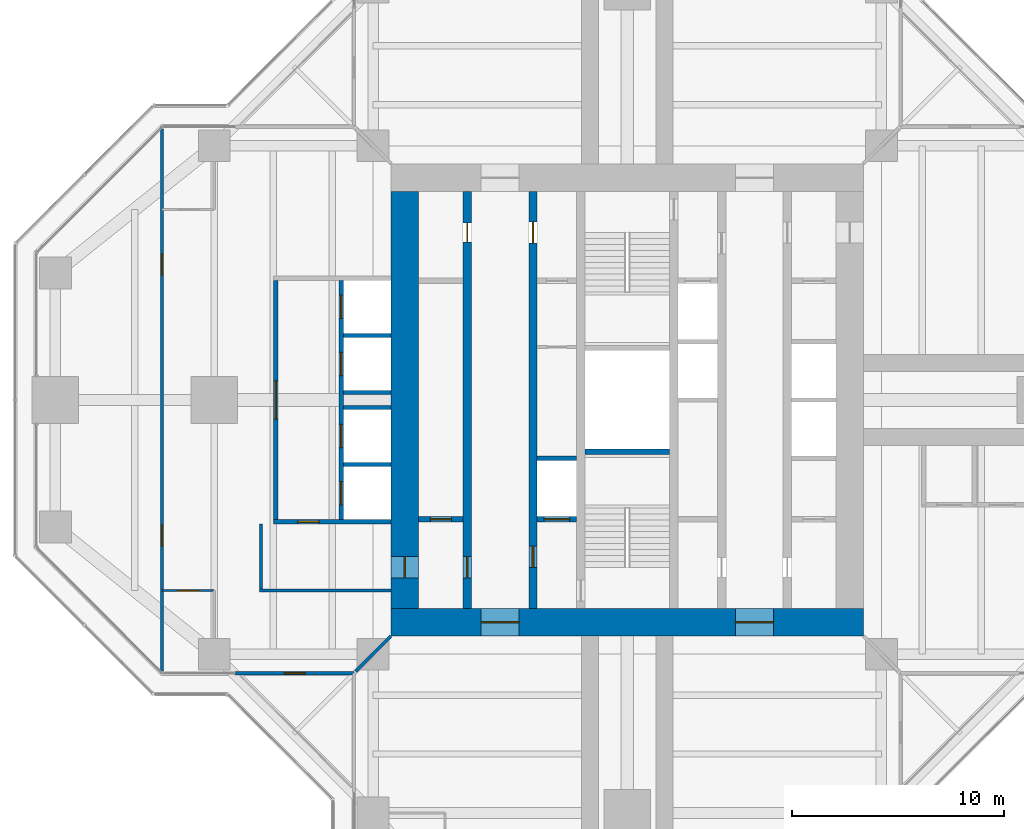
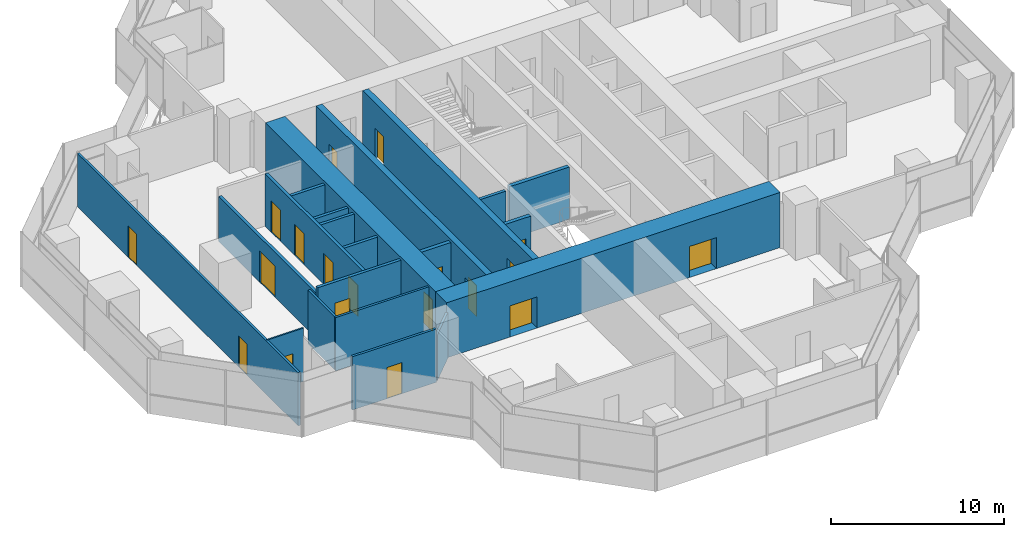
# One storey, part 13 of 17: 21 walls, 19 doors, 19 openings.
"""IFC4 building model written with IfcOpenShell, lengths in metres."""

import ifcopenshell
import ifcopenshell.guid

model = None  # the IFC model being written
_history = None  # IfcOwnerHistory: only IFC2X3 demands one
_inside = {}  # id of a spatial element -> (the spatial element, [elements in it])
_under = {}  # id of a project, library or spatial element -> (it, [spatial elements below it])
_declared = {}  # id of a project -> (the project, [libraries it declares])
_typed = {}  # id of a type object -> (the type object, [elements of that type])
_made_of = {}  # id of a material, layer set ... -> (it, [elements and type objects made of it])


def new_model(schema):
    """Start an empty IFC model of exactly this schema.

    Asked for "IFC4X3", IfcOpenShell would pick the latest addendum, in which some entities
    have other attributes; the version numbers below select the first issue.
    IFC2X3 requires an IfcOwnerHistory on every rooted entity: one is made here for all.
    """
    global model, _history
    if schema == "IFC4X3":
        model = ifcopenshell.file(schema_version=(4, 3, 0, 0))
    else:
        model = ifcopenshell.file(schema=schema)
    _inside.clear()
    _under.clear()
    _declared.clear()
    _typed.clear()
    _made_of.clear()
    _history = None
    if model.schema == "IFC2X3":
        org = make("IfcOrganization", Name="unknown")
        user = make(
            "IfcPersonAndOrganization",
            ThePerson=make("IfcPerson", FamilyName="unknown"),
            TheOrganization=org,
        )
        app = make(
            "IfcApplication",
            ApplicationDeveloper=org,
            Version="unknown",
            ApplicationFullName="unknown",
            ApplicationIdentifier="unknown",
        )
        _history = make(
            "IfcOwnerHistory",
            OwningUser=user,
            OwningApplication=app,
            ChangeAction="ADDED",
            CreationDate=0,
        )
    return model


def make(cls, **values):
    """One entity of the class cls with the attributes given. An attribute that is None is left unset."""
    return model.create_entity(
        cls, **{name: value for name, value in values.items() if value is not None}
    )


def rooted(cls, **values):
    """An entity with a GlobalId (a new one), such as an element, a storey or a relation."""
    return make(cls, GlobalId=ifcopenshell.guid.new(), OwnerHistory=_history, **values)


def si_unit(unit_type, name, prefix=None):
    """IfcSIUnit, for example si_unit("LENGTHUNIT", "METRE", prefix="MILLI")."""
    return make("IfcSIUnit", UnitType=unit_type, Prefix=prefix, Name=name)


def assignment(units):
    """IfcUnitAssignment: the units of a project."""
    return None if units is None else make("IfcUnitAssignment", Units=units)


def point(xyz):
    """IfcCartesianPoint."""
    return None if xyz is None else make("IfcCartesianPoint", Coordinates=xyz)


def direction(xyz):
    """IfcDirection."""
    return None if xyz is None else make("IfcDirection", DirectionRatios=xyz)


def frame(location, z_axis=None, x_axis=None):
    """IfcAxis2Placement3D, a coordinate frame: its origin and axes. An axis left out is left unset."""
    return make(
        "IfcAxis2Placement3D",
        Location=point(location),
        Axis=direction(z_axis),
        RefDirection=direction(x_axis),
    )


def frame_2d(location, x_axis=None):
    """IfcAxis2Placement2D, a coordinate frame in the plane: its origin and x axis."""
    return make(
        "IfcAxis2Placement2D", Location=point(location), RefDirection=direction(x_axis)
    )


def origin():
    """The frame at (0, 0, 0) with its axes left unset."""
    return frame((0.0, 0.0, 0.0))


def place(relative_to, where):
    """IfcLocalPlacement: puts the frame where relative to a parent placement (None: the world)."""
    return make(
        "IfcLocalPlacement", PlacementRelTo=relative_to, RelativePlacement=where
    )


def context(
    kind, dimensions, precision=None, world=None, true_north=None, identifier=None
):
    """IfcGeometricRepresentationContext, for example the 3D "Model" context."""
    return make(
        "IfcGeometricRepresentationContext",
        ContextIdentifier=identifier,
        ContextType=kind,
        CoordinateSpaceDimension=dimensions,
        Precision=precision,
        WorldCoordinateSystem=world,
        TrueNorth=true_north,
    )


def subcontext(parent, identifier, kind, view, scale=None):
    """IfcGeometricRepresentationSubContext, for example "Body" below "Model"."""
    return make(
        "IfcGeometricRepresentationSubContext",
        ContextIdentifier=identifier,
        ContextType=kind,
        ParentContext=parent,
        TargetScale=scale,
        TargetView=view,
    )


def project(units=None, contexts=None):
    """IfcProject with its units and contexts."""
    return rooted(
        "IfcProject",
        Name="project",
        RepresentationContexts=contexts,
        UnitsInContext=assignment(units),
    )


def spatial(cls, under=None, at=None, **own):
    """A site, building, storey or space (cls), placed at a placement, below another one or the project."""
    s = rooted(cls, ObjectPlacement=at, **own)
    if under is not None:
        _under.setdefault(under.id(), (under, []))[1].append(s)
    return s


def profile(cls, at=None, kind="AREA", **sizes):
    """A parametric profile (cls). Its sizes go by their IFC names, for example OverallWidth=200.0."""
    return make(cls, ProfileType=kind, Position=at, **sizes)


def rectangle(**sizes):
    """IfcRectangleProfileDef."""
    return profile("IfcRectangleProfileDef", **sizes)


def extrude(swept, where, along, depth):
    """IfcExtrudedAreaSolid: the profile swept, set in the frame where, extruded along a direction by depth."""
    return make(
        "IfcExtrudedAreaSolid",
        SweptArea=swept,
        Position=where,
        ExtrudedDirection=direction(along),
        Depth=depth,
    )


def shape(context_of_items, identifier, shape_type, items):
    """IfcShapeRepresentation: the items that make up one representation, for example the "Body"."""
    return make(
        "IfcShapeRepresentation",
        ContextOfItems=context_of_items,
        RepresentationIdentifier=identifier,
        RepresentationType=shape_type,
        Items=items,
    )


def material(Name=None, Category=None):
    """IfcMaterial."""
    return make("IfcMaterial", Name=Name, Category=Category)


def layer(
    of_material, thickness, ventilated=None, Name=None, Category=None, Priority=None
):
    """IfcMaterialLayer: one layer of a wall or slab, of a material (None: an air gap)."""
    return make(
        "IfcMaterialLayer",
        Material=of_material,
        LayerThickness=thickness,
        IsVentilated=ventilated,
        Name=Name,
        Category=Category,
        Priority=Priority,
    )


def layer_set(layers, Name=None):
    """IfcMaterialLayerSet."""
    return make("IfcMaterialLayerSet", MaterialLayers=layers, LayerSetName=Name)


def made_of(thing, what):
    """Note that an element or type object is made of a material, layer set ...; save() writes the relation."""
    if what is not None:
        _made_of.setdefault(what.id(), (what, []))[1].append(thing)
    return thing


def type_object(cls, material=None, **own):
    """A type object (cls), such as IfcWallType, which elements share."""
    return made_of(rooted(cls, **own), material)


def element(
    cls,
    number,
    at=None,
    inside=None,
    cuts=None,
    type_object=None,
    material=None,
    context=None,
    identifier="Body",
    shape_type=None,
    held_by="IfcProductDefinitionShape",
    body=None,
    shapes=None,
    **own,
):
    """One element of the class cls, such as IfcWall. Its Tag is "e" and its number.

    at: its placement. inside: the storey or other place that contains it. cuts: it is an
    opening in that element (IfcRelVoidsElement). A single representation is given by context,
    identifier, shape_type and body (its items); several are given by shapes. held_by: the class
    of the entity that holds the representations. save() writes the other relations.
    """
    e = rooted(cls, Tag="e%d" % number, ObjectPlacement=at, **own)
    if body is not None:
        shapes = [shape(context, identifier, shape_type, body)]
    if shapes is not None:
        e.Representation = make(held_by, Representations=shapes)
    if inside is not None:
        _inside.setdefault(inside.id(), (inside, []))[1].append(e)
    if cuts is not None:
        rooted(
            "IfcRelVoidsElement", RelatingBuildingElement=cuts, RelatedOpeningElement=e
        )
    if type_object is not None:
        _typed.setdefault(type_object.id(), (type_object, []))[1].append(e)
    return made_of(e, material)


def fill(opening, filler):
    """IfcRelFillsElement: the door or window that sits in an opening."""
    return rooted(
        "IfcRelFillsElement",
        RelatingOpeningElement=opening,
        RelatedBuildingElement=filler,
    )


def aggregate(whole, parts):
    """IfcRelAggregates: a whole, such as a stair, and the parts it consists of."""
    return rooted("IfcRelAggregates", RelatingObject=whole, RelatedObjects=parts)


def save(model, path):
    """Write the relations noted so far, then the file.

    IfcRelAggregates (storeys below a building ...), IfcRelContainedInSpatialStructure (elements
    in a storey), IfcRelDefinesByType, IfcRelAssociatesMaterial and IfcRelDeclares: one each for
    every whole, place, type object, material and project.
    """
    for whole, parts in _under.values():
        aggregate(whole, parts)
    for where, things in _inside.values():
        rooted(
            "IfcRelContainedInSpatialStructure",
            RelatedElements=things,
            RelatingStructure=where,
        )
    for kind, things in _typed.values():
        rooted("IfcRelDefinesByType", RelatedObjects=things, RelatingType=kind)
    for what, things in _made_of.values():
        rooted("IfcRelAssociatesMaterial", RelatedObjects=things, RelatingMaterial=what)
    for by, libraries in _declared.values():
        rooted("IfcRelDeclares", RelatingContext=by, RelatedDefinitions=libraries)
    model.write(path)


model = new_model("IFC4")

# Units and contexts
model_context = context("Model", 3, precision=1e-05, world=origin(), true_north=direction((0.0, 1.0)))
body_context = subcontext(model_context, "Body", "Model", "MODEL_VIEW")
ifc_project = project(units=[si_unit("LENGTHUNIT", "METRE"), si_unit("AREAUNIT", "SQUARE_METRE"), si_unit("VOLUMEUNIT", "CUBIC_METRE"), si_unit("PLANEANGLEUNIT", "RADIAN"), si_unit("MASSUNIT", "GRAM", prefix="KILO")], contexts=[model_context])

# Site, building, storey
site_placement = place(None, origin())
site = spatial("IfcSite", under=ifc_project, at=site_placement, CompositionType="ELEMENT")
building_placement = place(site_placement, origin())
building = spatial("IfcBuilding", under=site, at=building_placement, Name="Mizan Broadcast Tower", CompositionType="ELEMENT")
storey_placement = place(building_placement, frame((0.0, 0.0, 243.89990234375)))
storey = spatial("IfcBuildingStorey", under=building, at=storey_placement, Name="L57", CompositionType="ELEMENT", Elevation=243.89990234375)

# Wall, openings, doors
ifc_material_1 = material(Name="Concrete C70/85", Category="concrete")
ifc_layer_1 = layer(ifc_material_1, 0.39990234375)
ifc_layer_set_1 = layer_set([ifc_layer_1], Name="Concrete C70/85")
wall_type_1 = type_object("IfcWallType", Name="CORE INTERNAL WALL 400", PredefinedType="SHEAR", material=ifc_layer_set_1)
wall_1_placement = place(storey_placement, frame((-7.550048828125, -9.85009765625, 0.0), z_axis=(0.0, 0.0, 1.0), x_axis=(0.0, 1.0, 0.0)))
wall_1 = element("IfcWall", 1, at=wall_1_placement, inside=storey, type_object=wall_type_1, Name="Core wall CORE/XW1", PredefinedType="SHEAR", context=body_context, shape_type="SweptSolid", body=[
    extrude(rectangle(XDim=19.7001953125, YDim=0.39990234375, at=frame_2d((9.85009765625, 0.0))), origin(), (0.0, 0.0, 1.0), 3.900146484375),
])
opening_1_placement = place(wall_1_placement, frame((1.449951171875, 0.0, 0.0)))
opening_1 = element("IfcOpeningElement", 2, at=opening_1_placement, cuts=wall_1, Name="Opening D10F", PredefinedType="OPENING", context=body_context, shape_type="SweptSolid", body=[
    extrude(rectangle(XDim=1.0, YDim=2.199951171875, at=frame_2d((0.5, 1.10009765625))), frame((0.0, 0.2099609375, 0.0), z_axis=(0.0, -1.0, 0.0), x_axis=(1.0, 0.0, 0.0)), (0.0, 0.0, 1.0), 0.419921875),
])
opening_2_placement = place(wall_1_placement, frame((17.300048828125, 0.0, 0.0)))
opening_2 = element("IfcOpeningElement", 3, at=opening_2_placement, cuts=wall_1, Name="Opening D09", PredefinedType="OPENING", context=body_context, shape_type="SweptSolid", body=[
    extrude(rectangle(XDim=0.89990234375, YDim=2.10009765625, at=frame_2d((0.449951171875, 1.050048828125))), frame((0.0, 0.2099609375, 0.0), z_axis=(0.0, -1.0, 0.0), x_axis=(1.0, 0.0, 0.0)), (0.0, 0.0, 1.0), 0.419921875),
])
ifc_material_2 = material(Name="Steel door leaf in steel frame", Category="steel")
door_type_1 = type_object("IfcDoorType", Name="FIRE DOOR 1000 FD90", OperationType="SINGLE_SWING_LEFT", PredefinedType="DOOR", material=ifc_material_2)
door_1_placement = place(opening_1_placement, origin())
door_1 = element("IfcDoor", 4, at=door_1_placement, inside=storey, type_object=door_type_1, Name="West core passage door", OperationType="SINGLE_SWING_LEFT", OverallHeight=2.199951171875, OverallWidth=1.0, PredefinedType="DOOR", context=body_context, shape_type="SweptSolid", body=[
    extrude(rectangle(XDim=1.0, YDim=2.199951171875, at=frame_2d((0.5, 1.10009765625))), frame((0.0, 0.02490234375, 0.0), z_axis=(0.0, -1.0, 0.0), x_axis=(1.0, 0.0, 0.0)), (0.0, 0.0, 1.0), 0.050048828125),
])
fill(opening_1, door_1)
ifc_material_3 = material(Name="Timber door leaf in aluminium frame", Category="wood")
door_type_2 = type_object("IfcDoorType", Name="TOILET DOOR 900", OperationType="SINGLE_SWING_LEFT", PredefinedType="DOOR", material=ifc_material_3)
door_2_placement = place(opening_2_placement, origin())
door_2 = element("IfcDoor", 5, at=door_2_placement, inside=storey, type_object=door_type_2, Name="Male WC door", OperationType="SINGLE_SWING_RIGHT", OverallHeight=2.10009765625, OverallWidth=0.89990234375, PredefinedType="DOOR", context=body_context, shape_type="SweptSolid", body=[
    extrude(rectangle(XDim=0.89990234375, YDim=2.10009765625, at=frame_2d((0.449951171875, 1.050048828125))), frame((0.0, 0.02490234375, 0.0), z_axis=(0.0, -1.0, 0.0), x_axis=(1.0, 0.0, 0.0)), (0.0, 0.0, 1.0), 0.050048828125),
])
fill(opening_2, door_2)

wall_2_placement = place(storey_placement, frame((-4.449951171875, -9.85009765625, 0.0), z_axis=(0.0, 0.0, 1.0), x_axis=(0.0, 1.0, 0.0)))
wall_2 = element("IfcWall", 6, at=wall_2_placement, inside=storey, type_object=wall_type_1, Name="Core wall CORE/XWH", PredefinedType="SHEAR", context=body_context, shape_type="SweptSolid", body=[
    extrude(rectangle(XDim=19.7001953125, YDim=0.39990234375, at=frame_2d((9.85009765625, 0.0))), origin(), (0.0, 0.0, 1.0), 3.900146484375),
])
opening_3_placement = place(wall_2_placement, frame((1.949951171875, 0.0, 0.0)))
opening_3 = element("IfcOpeningElement", 7, at=opening_3_placement, cuts=wall_2, Name="Opening D10F", PredefinedType="OPENING", context=body_context, shape_type="SweptSolid", body=[
    extrude(rectangle(XDim=1.0, YDim=2.199951171875, at=frame_2d((0.5, 1.10009765625))), frame((0.0, 0.2099609375, 0.0), z_axis=(0.0, -1.0, 0.0), x_axis=(1.0, 0.0, 0.0)), (0.0, 0.0, 1.0), 0.419921875),
])
opening_4_placement = place(wall_2_placement, frame((17.25, 0.0, 0.0)))
opening_4 = element("IfcOpeningElement", 8, at=opening_4_placement, cuts=wall_2, Name="Opening D10A", PredefinedType="OPENING", context=body_context, shape_type="SweptSolid", body=[
    extrude(rectangle(XDim=1.0, YDim=2.10009765625, at=frame_2d((0.5, 1.050048828125))), frame((0.0, 0.2099609375, 0.0), z_axis=(0.0, -1.0, 0.0), x_axis=(1.0, 0.0, 0.0)), (0.0, 0.0, 1.0), 0.419921875),
])
ifc_material_4 = material(Name="Timber door leaf in aluminium frame", Category="wood")
door_type_3 = type_object("IfcDoorType", Name="ACCESSIBLE WC DOOR 1000", OperationType="SLIDING_TO_LEFT", PredefinedType="DOOR", material=ifc_material_4)
door_3_placement = place(opening_4_placement, origin())
door_3 = element("IfcDoor", 9, at=door_3_placement, inside=storey, type_object=door_type_3, Name="Accessible WC door", OperationType="SLIDING_TO_LEFT", OverallHeight=2.10009765625, OverallWidth=1.0, PredefinedType="DOOR", context=body_context, shape_type="SweptSolid", body=[
    extrude(rectangle(XDim=1.0, YDim=2.10009765625, at=frame_2d((0.5, 1.050048828125))), frame((0.0, 0.02490234375, 0.0), z_axis=(0.0, -1.0, 0.0), x_axis=(1.0, 0.0, 0.0)), (0.0, 0.0, 1.0), 0.050048828125),
])
fill(opening_4, door_3)
door_4_placement = place(opening_3_placement, origin())
door_4 = element("IfcDoor", 10, at=door_4_placement, inside=storey, type_object=door_type_1, Name="Firefighting lobby A door", OperationType="SINGLE_SWING_LEFT", OverallHeight=2.199951171875, OverallWidth=1.0, PredefinedType="DOOR", context=body_context, shape_type="SweptSolid", body=[
    extrude(rectangle(XDim=1.0, YDim=2.199951171875, at=frame_2d((0.5, 1.10009765625))), frame((0.0, 0.02490234375, 0.0), z_axis=(0.0, -1.0, 0.0), x_axis=(1.0, 0.0, 0.0)), (0.0, 0.0, 1.0), 0.050048828125),
])
fill(opening_3, door_4)

ifc_material_5 = material(Name="Concrete C70/85", Category="concrete")
ifc_layer_2 = layer(ifc_material_5, 1.300048828125)
ifc_layer_set_2 = layer_set([ifc_layer_2], Name="Concrete C70/85")
wall_type_2 = type_object("IfcWallType", Name="CORE WALL 1300", PredefinedType="SHEAR", material=ifc_layer_set_2)
wall_3_placement = place(storey_placement, frame((11.14990234375, -10.5, 0.0), z_axis=(0.0, 0.0, 1.0), x_axis=(-1.0, 0.0, 0.0)))
wall_3 = element("IfcWall", 11, at=wall_3_placement, inside=storey, type_object=wall_type_2, Name="Core wall S L57", PredefinedType="SHEAR", context=body_context, shape_type="SweptSolid", body=[
    extrude(rectangle(XDim=22.2998046875, YDim=1.300048828125, at=frame_2d((11.14990234375, 0.0))), origin(), (0.0, 0.0, 1.0), 3.900146484375),
])
opening_5_placement = place(wall_3_placement, frame((16.25, 0.0, 0.0)))
opening_5 = element("IfcOpeningElement", 12, at=opening_5_placement, cuts=wall_3, Name="Opening D18F", PredefinedType="OPENING", context=body_context, shape_type="SweptSolid", body=[
    extrude(rectangle(XDim=1.800048828125, YDim=2.199951171875, at=frame_2d((0.89990234375, 1.10009765625))), frame((0.0, 0.659912109375, 0.0), z_axis=(0.0, -1.0, 0.0), x_axis=(1.0, 0.0, 0.0)), (0.0, 0.0, 1.0), 1.320068359375),
])
opening_6_placement = place(wall_3_placement, frame((4.25, 0.0, 0.0)))
opening_6 = element("IfcOpeningElement", 13, at=opening_6_placement, cuts=wall_3, Name="Opening D18F", PredefinedType="OPENING", context=body_context, shape_type="SweptSolid", body=[
    extrude(rectangle(XDim=1.800048828125, YDim=2.199951171875, at=frame_2d((0.89990234375, 1.10009765625))), frame((0.0, 0.659912109375, 0.0), z_axis=(0.0, -1.0, 0.0), x_axis=(1.0, 0.0, 0.0)), (0.0, 0.0, 1.0), 1.320068359375),
])
ifc_material_6 = material(Name="Steel door leaf in steel frame", Category="steel")
door_type_4 = type_object("IfcDoorType", Name="LOBBY DOUBLE DOOR 1800 FD90", OperationType="DOUBLE_DOOR_DOUBLE_SWING", PredefinedType="DOOR", material=ifc_material_6)
door_5_placement = place(opening_5_placement, origin())
door_5 = element("IfcDoor", 14, at=door_5_placement, inside=storey, type_object=door_type_4, Name="West lift lobby south door", OperationType="DOUBLE_DOOR_DOUBLE_SWING", OverallHeight=2.199951171875, OverallWidth=1.800048828125, PredefinedType="DOOR", context=body_context, shape_type="SweptSolid", body=[
    extrude(rectangle(XDim=1.800048828125, YDim=2.199951171875, at=frame_2d((0.89990234375, 1.10009765625))), frame((0.0, 0.02490234375, 0.0), z_axis=(0.0, -1.0, 0.0), x_axis=(1.0, 0.0, 0.0)), (0.0, 0.0, 1.0), 0.050048828125),
])
fill(opening_5, door_5)
door_6_placement = place(opening_6_placement, origin())
door_6 = element("IfcDoor", 15, at=door_6_placement, inside=storey, type_object=door_type_4, Name="East lift lobby south door", OperationType="DOUBLE_DOOR_DOUBLE_SWING", OverallHeight=2.199951171875, OverallWidth=1.800048828125, PredefinedType="DOOR", context=body_context, shape_type="SweptSolid", body=[
    extrude(rectangle(XDim=1.800048828125, YDim=2.199951171875, at=frame_2d((0.89990234375, 1.10009765625))), frame((0.0, 0.02490234375, 0.0), z_axis=(0.0, -1.0, 0.0), x_axis=(1.0, 0.0, 0.0)), (0.0, 0.0, 1.0), 0.050048828125),
])
fill(opening_6, door_6)

# Wall, opening, door
wall_4_placement = place(storey_placement, frame((-10.5, 9.85009765625, 0.0), z_axis=(0.0, 0.0, 1.0), x_axis=(0.0, -1.0, 0.0)))
wall_4 = element("IfcWall", 16, at=wall_4_placement, inside=storey, type_object=wall_type_2, Name="Core wall W L57", PredefinedType="SHEAR", context=body_context, shape_type="SweptSolid", body=[
    extrude(rectangle(XDim=19.7001953125, YDim=1.300048828125, at=frame_2d((9.85009765625, 0.0))), origin(), (0.0, 0.0, 1.0), 3.900146484375),
])
opening_7_placement = place(wall_4_placement, frame((17.25, 0.0, 0.0)))
opening_7 = element("IfcOpeningElement", 17, at=opening_7_placement, cuts=wall_4, Name="Opening D10F", PredefinedType="OPENING", context=body_context, shape_type="SweptSolid", body=[
    extrude(rectangle(XDim=1.0, YDim=2.199951171875, at=frame_2d((0.5, 1.10009765625))), frame((0.0, 0.659912109375, 0.0), z_axis=(0.0, -1.0, 0.0), x_axis=(1.0, 0.0, 0.0)), (0.0, 0.0, 1.0), 1.320068359375),
])
door_7_placement = place(opening_7_placement, origin())
door_7 = element("IfcDoor", 18, at=door_7_placement, inside=storey, type_object=door_type_1, Name="West core passage arm door", OperationType="SINGLE_SWING_RIGHT", OverallHeight=2.199951171875, OverallWidth=1.0, PredefinedType="DOOR", context=body_context, shape_type="SweptSolid", body=[
    extrude(rectangle(XDim=1.0, YDim=2.199951171875, at=frame_2d((0.5, 1.10009765625))), frame((0.0, 0.02490234375, 0.0), z_axis=(0.0, -1.0, 0.0), x_axis=(1.0, 0.0, 0.0)), (0.0, 0.0, 1.0), 0.050048828125),
])
fill(opening_7, door_7)

ifc_material_7 = material(Name="Aluminium framed glazed screen", Category="aluminium")
ifc_layer_3 = layer(ifc_material_7, 0.159912109375)
ifc_layer_set_3 = layer_set([ifc_layer_3], Name="Aluminium framed glazed screen")
wall_type_3 = type_object("IfcWallType", Name="GLAZED SCREEN WALL 160", PredefinedType="SOLIDWALL", material=ifc_layer_set_3)
wall_5_placement = place(storey_placement, frame((-18.5, -12.89990234375, 0.0), z_axis=(0.0, 0.0, 1.0), x_axis=(1.0, 0.0, 0.0)))
wall_5 = element("IfcWall", 19, at=wall_5_placement, inside=storey, type_object=wall_type_3, Name="Winter garden screen L57 W", PredefinedType="SOLIDWALL", context=body_context, shape_type="SweptSolid", body=[
    extrude(rectangle(XDim=5.60009765625, YDim=0.159912109375, at=frame_2d((2.800048828125, 0.0))), origin(), (0.0, 0.0, 1.0), 3.77001953125),
])
opening_8_placement = place(wall_5_placement, frame((2.300048828125, 0.0, 0.0)))
opening_8 = element("IfcOpeningElement", 20, at=opening_8_placement, cuts=wall_5, Name="Opening WGD", PredefinedType="OPENING", context=body_context, shape_type="SweptSolid", body=[
    extrude(rectangle(XDim=1.0, YDim=2.199951171875, at=frame_2d((0.5, 1.10009765625))), frame((0.0, 0.08984375, 0.0), z_axis=(0.0, -1.0, 0.0), x_axis=(1.0, 0.0, 0.0)), (0.0, 0.0, 1.0), 0.179931640625),
])
ifc_material_8 = material(Name="Aluminium framed glazed door", Category="aluminium")
door_type_5 = type_object("IfcDoorType", Name="WINTER GARDEN DOOR 1000 GLAZED", OperationType="SINGLE_SWING_LEFT", PredefinedType="DOOR", material=ifc_material_8)
door_8_placement = place(opening_8_placement, origin())
door_8 = element("IfcDoor", 21, at=door_8_placement, inside=storey, type_object=door_type_5, Name="Winter garden door L57 W", OperationType="SINGLE_SWING_RIGHT", OverallHeight=2.199951171875, OverallWidth=1.0, PredefinedType="DOOR", context=body_context, shape_type="SweptSolid", body=[
    extrude(rectangle(XDim=1.0, YDim=2.199951171875, at=frame_2d((0.5, 1.10009765625))), frame((0.0, 0.02490234375, 0.0), z_axis=(0.0, -1.0, 0.0), x_axis=(1.0, 0.0, 0.0)), (0.0, 0.0, 1.0), 0.050048828125),
])
fill(opening_8, door_8)

# Wall
ifc_material_9 = material(Name="Concrete blockwork", Category="masonry")
ifc_layer_4 = layer(ifc_material_9, 0.199951171875)
ifc_layer_set_4 = layer_set([ifc_layer_4], Name="Concrete blockwork")
wall_type_4 = type_object("IfcWallType", Name="LIFT SHAFT WALL 200", PredefinedType="SOLIDWALL", material=ifc_layer_set_4)
wall_6_placement = place(storey_placement, frame((-4.25, -2.75, 0.0), z_axis=(0.0, 0.0, 1.0), x_axis=(1.0, 0.0, 0.0)))
element("IfcWall", 22, at=wall_6_placement, inside=storey, type_object=wall_type_4, Name="Lift shaft wall CORE/SW2-1", PredefinedType="SOLIDWALL", context=body_context, shape_type="SweptSolid", body=[
    extrude(rectangle(XDim=1.85009765625, YDim=0.199951171875, at=frame_2d((0.925048828125, 0.0))), origin(), (0.0, 0.0, 1.0), 3.7001953125),
])

# Wall, openings, doors
wall_7_placement = place(storey_placement, frame((-13.5, 5.64990234375, 0.0), z_axis=(0.0, 0.0, 1.0), x_axis=(0.0, -1.0, 0.0)))
wall_7 = element("IfcWall", 23, at=wall_7_placement, inside=storey, type_object=wall_type_4, Name="Lift shaft wall LC/F", PredefinedType="SOLIDWALL", context=body_context, shape_type="SweptSolid", body=[
    extrude(rectangle(XDim=11.2998046875, YDim=0.199951171875, at=frame_2d((5.64990234375, 0.0))), origin(), (0.0, 0.0, 1.0), 3.7001953125),
])
opening_9_placement = place(wall_7_placement, frame((0.699951171875, 0.0, 0.0)))
opening_9 = element("IfcOpeningElement", 24, at=opening_9_placement, cuts=wall_7, Name="Opening LD", PredefinedType="OPENING", context=body_context, shape_type="SweptSolid", body=[
    extrude(rectangle(XDim=1.10009765625, YDim=2.199951171875, at=frame_2d((0.550048828125, 1.10009765625))), frame((0.0, 0.10986328125, 0.0), z_axis=(0.0, -1.0, 0.0), x_axis=(1.0, 0.0, 0.0)), (0.0, 0.0, 1.0), 0.219970703125),
])
opening_10_placement = place(wall_7_placement, frame((3.39990234375, 0.0, 0.0)))
opening_10 = element("IfcOpeningElement", 25, at=opening_10_placement, cuts=wall_7, Name="Opening LD", PredefinedType="OPENING", context=body_context, shape_type="SweptSolid", body=[
    extrude(rectangle(XDim=1.10009765625, YDim=2.199951171875, at=frame_2d((0.550048828125, 1.10009765625))), frame((0.0, 0.10986328125, 0.0), z_axis=(0.0, -1.0, 0.0), x_axis=(1.0, 0.0, 0.0)), (0.0, 0.0, 1.0), 0.219970703125),
])
opening_11_placement = place(wall_7_placement, frame((6.800048828125, 0.0, 0.0)))
opening_11 = element("IfcOpeningElement", 26, at=opening_11_placement, cuts=wall_7, Name="Opening LD", PredefinedType="OPENING", context=body_context, shape_type="SweptSolid", body=[
    extrude(rectangle(XDim=1.10009765625, YDim=2.199951171875, at=frame_2d((0.550048828125, 1.10009765625))), frame((0.0, 0.10986328125, 0.0), z_axis=(0.0, -1.0, 0.0), x_axis=(1.0, 0.0, 0.0)), (0.0, 0.0, 1.0), 0.219970703125),
])
opening_12_placement = place(wall_7_placement, frame((9.5, 0.0, 0.0)))
opening_12 = element("IfcOpeningElement", 27, at=opening_12_placement, cuts=wall_7, Name="Opening LD", PredefinedType="OPENING", context=body_context, shape_type="SweptSolid", body=[
    extrude(rectangle(XDim=1.10009765625, YDim=2.199951171875, at=frame_2d((0.550048828125, 1.10009765625))), frame((0.0, 0.10986328125, 0.0), z_axis=(0.0, -1.0, 0.0), x_axis=(1.0, 0.0, 0.0)), (0.0, 0.0, 1.0), 0.219970703125),
])
ifc_material_10 = material(Name="Steel door leaf in steel frame", Category="steel")
door_type_6 = type_object("IfcDoorType", Name="LIFT LANDING DOOR 1100", OperationType="SLIDING_TO_LEFT", PredefinedType="DOOR", material=ifc_material_10)
door_9_placement = place(opening_9_placement, origin())
door_9 = element("IfcDoor", 28, at=door_9_placement, inside=storey, type_object=door_type_6, Name="Landing door LC1", OperationType="SLIDING_TO_LEFT", OverallHeight=2.199951171875, OverallWidth=1.10009765625, PredefinedType="DOOR", context=body_context, shape_type="SweptSolid", body=[
    extrude(rectangle(XDim=1.10009765625, YDim=2.199951171875, at=frame_2d((0.550048828125, 1.10009765625))), frame((0.0, 0.02490234375, 0.0), z_axis=(0.0, -1.0, 0.0), x_axis=(1.0, 0.0, 0.0)), (0.0, 0.0, 1.0), 0.050048828125),
])
fill(opening_9, door_9)
door_10_placement = place(opening_10_placement, origin())
door_10 = element("IfcDoor", 29, at=door_10_placement, inside=storey, type_object=door_type_6, Name="Landing door LC2", OperationType="SLIDING_TO_LEFT", OverallHeight=2.199951171875, OverallWidth=1.10009765625, PredefinedType="DOOR", context=body_context, shape_type="SweptSolid", body=[
    extrude(rectangle(XDim=1.10009765625, YDim=2.199951171875, at=frame_2d((0.550048828125, 1.10009765625))), frame((0.0, 0.02490234375, 0.0), z_axis=(0.0, -1.0, 0.0), x_axis=(1.0, 0.0, 0.0)), (0.0, 0.0, 1.0), 0.050048828125),
])
fill(opening_10, door_10)
door_11_placement = place(opening_11_placement, origin())
door_11 = element("IfcDoor", 30, at=door_11_placement, inside=storey, type_object=door_type_6, Name="Landing door LC3", OperationType="SLIDING_TO_LEFT", OverallHeight=2.199951171875, OverallWidth=1.10009765625, PredefinedType="DOOR", context=body_context, shape_type="SweptSolid", body=[
    extrude(rectangle(XDim=1.10009765625, YDim=2.199951171875, at=frame_2d((0.550048828125, 1.10009765625))), frame((0.0, 0.02490234375, 0.0), z_axis=(0.0, -1.0, 0.0), x_axis=(1.0, 0.0, 0.0)), (0.0, 0.0, 1.0), 0.050048828125),
])
fill(opening_11, door_11)
door_12_placement = place(opening_12_placement, origin())
door_12 = element("IfcDoor", 31, at=door_12_placement, inside=storey, type_object=door_type_6, Name="Landing door LC4", OperationType="SLIDING_TO_LEFT", OverallHeight=2.199951171875, OverallWidth=1.10009765625, PredefinedType="DOOR", context=body_context, shape_type="SweptSolid", body=[
    extrude(rectangle(XDim=1.10009765625, YDim=2.199951171875, at=frame_2d((0.550048828125, 1.10009765625))), frame((0.0, 0.02490234375, 0.0), z_axis=(0.0, -1.0, 0.0), x_axis=(1.0, 0.0, 0.0)), (0.0, 0.0, 1.0), 0.050048828125),
])
fill(opening_12, door_12)

# Wall, opening, door
wall_8_placement = place(storey_placement, frame((-11.14990234375, -5.75, 0.0), z_axis=(0.0, 0.0, 1.0), x_axis=(-1.0, 0.0, 0.0)))
wall_8 = element("IfcWall", 32, at=wall_8_placement, inside=storey, type_object=wall_type_4, Name="Lift shaft wall LC/S2", PredefinedType="SOLIDWALL", context=body_context, shape_type="SweptSolid", body=[
    extrude(rectangle(XDim=5.550048828125, YDim=0.199951171875, at=frame_2d((2.77490234375, 0.0))), origin(), (0.0, 0.0, 1.0), 3.7001953125),
])
opening_13_placement = place(wall_8_placement, frame((3.39990234375, 0.0, 0.0)))
opening_13 = element("IfcOpeningElement", 33, at=opening_13_placement, cuts=wall_8, Name="Opening D10F", PredefinedType="OPENING", context=body_context, shape_type="SweptSolid", body=[
    extrude(rectangle(XDim=1.0, YDim=2.199951171875, at=frame_2d((0.5, 1.10009765625))), frame((0.0, 0.10986328125, 0.0), z_axis=(0.0, -1.0, 0.0), x_axis=(1.0, 0.0, 0.0)), (0.0, 0.0, 1.0), 0.219970703125),
])
door_13_placement = place(opening_13_placement, origin())
door_13 = element("IfcDoor", 34, at=door_13_placement, inside=storey, type_object=door_type_1, Name="High-rise lobby corridor door", OperationType="SINGLE_SWING_RIGHT", OverallHeight=2.199951171875, OverallWidth=1.0, PredefinedType="DOOR", context=body_context, shape_type="SweptSolid", body=[
    extrude(rectangle(XDim=1.0, YDim=2.199951171875, at=frame_2d((0.5, 1.10009765625))), frame((0.0, 0.02490234375, 0.0), z_axis=(0.0, -1.0, 0.0), x_axis=(1.0, 0.0, 0.0)), (0.0, 0.0, 1.0), 0.050048828125),
])
fill(opening_13, door_13)

# Walls
for number, where, z_axis, x_axis, name in (
    (35, (-11.14990234375, 3.050048828125, 0.0), (0.0, 0.0, 1.0), (-1.0, 0.0, 0.0), "Lift shaft wall LC/SP1"),
    (36, (-11.14990234375, 0.35009765625, 0.0), (0.0, 0.0, 1.0), (-1.0, 0.0, 0.0), "Lift shaft wall LC/SP2"),
    (37, (-11.14990234375, -0.35009765625, 0.0), (0.0, 0.0, 1.0), (-1.0, 0.0, 0.0), "Lift shaft wall LC/SP3"),
    (38, (-11.14990234375, -3.050048828125, 0.0), (0.0, 0.0, 1.0), (-1.0, 0.0, 0.0), "Lift shaft wall LC/SP4"),
):
    element("IfcWall", number, at=place(storey_placement, frame(where, z_axis=z_axis, x_axis=x_axis)), inside=storey, type_object=wall_type_4, Name=name, PredefinedType="SOLIDWALL", context=body_context, shape_type="SweptSolid", body=[
        extrude(rectangle(XDim=2.25, YDim=0.199951171875, at=frame_2d((1.125, 0.0))), origin(), (0.0, 0.0, 1.0), 3.7001953125),
    ])

# Wall, opening, door
ifc_material_11 = material(Name="Concrete blockwork", Category="masonry")
ifc_layer_5 = layer(ifc_material_11, 0.25)
ifc_layer_set_5 = layer_set([ifc_layer_5], Name="Concrete blockwork")
wall_type_5 = type_object("IfcWallType", Name="LOBBY ENCLOSURE WALL 250", PredefinedType="SOLIDWALL", material=ifc_layer_set_5)
wall_9_placement = place(storey_placement, frame((-9.85009765625, -5.625, 0.0), z_axis=(0.0, 0.0, 1.0), x_axis=(1.0, 0.0, 0.0)))
wall_9 = element("IfcWall", 39, at=wall_9_placement, inside=storey, type_object=wall_type_5, Name="Lobby enclosure wall CORE/BW1S", PredefinedType="SOLIDWALL", context=body_context, shape_type="SweptSolid", body=[
    extrude(rectangle(XDim=2.10009765625, YDim=0.25, at=frame_2d((1.050048828125, 0.0))), origin(), (0.0, 0.0, 1.0), 3.7001953125),
])
opening_14_placement = place(wall_9_placement, frame((0.550048828125, 0.0, 0.0)))
opening_14 = element("IfcOpeningElement", 40, at=opening_14_placement, cuts=wall_9, Name="Opening D10F", PredefinedType="OPENING", context=body_context, shape_type="SweptSolid", body=[
    extrude(rectangle(XDim=1.0, YDim=2.199951171875, at=frame_2d((0.5, 1.10009765625))), frame((0.0, 0.135009765625, 0.0), z_axis=(0.0, -1.0, 0.0), x_axis=(1.0, 0.0, 0.0)), (0.0, 0.0, 1.0), 0.27001953125),
])
door_14_placement = place(opening_14_placement, origin())
door_14 = element("IfcDoor", 41, at=door_14_placement, inside=storey, type_object=door_type_1, Name="Print and post room door", OperationType="SINGLE_SWING_RIGHT", OverallHeight=2.199951171875, OverallWidth=1.0, PredefinedType="DOOR", context=body_context, shape_type="SweptSolid", body=[
    extrude(rectangle(XDim=1.0, YDim=2.199951171875, at=frame_2d((0.5, 1.10009765625))), frame((0.0, 0.02490234375, 0.0), z_axis=(0.0, -1.0, 0.0), x_axis=(1.0, 0.0, 0.0)), (0.0, 0.0, 1.0), 0.050048828125),
])
fill(opening_14, door_14)

wall_10_placement = place(storey_placement, frame((-4.25, -5.625, 0.0), z_axis=(0.0, 0.0, 1.0), x_axis=(1.0, 0.0, 0.0)))
wall_10 = element("IfcWall", 42, at=wall_10_placement, inside=storey, type_object=wall_type_5, Name="Lobby enclosure wall CORE/BW2S", PredefinedType="SOLIDWALL", context=body_context, shape_type="SweptSolid", body=[
    extrude(rectangle(XDim=1.85009765625, YDim=0.25, at=frame_2d((0.925048828125, 0.0))), origin(), (0.0, 0.0, 1.0), 3.7001953125),
])
opening_15_placement = place(wall_10_placement, frame((0.324951171875, 0.0, 0.0)))
opening_15 = element("IfcOpeningElement", 43, at=opening_15_placement, cuts=wall_10, Name="Opening LDF", PredefinedType="OPENING", context=body_context, shape_type="SweptSolid", body=[
    extrude(rectangle(XDim=1.199951171875, YDim=2.199951171875, at=frame_2d((0.60009765625, 1.10009765625))), frame((0.0, 0.135009765625, 0.0), z_axis=(0.0, -1.0, 0.0), x_axis=(1.0, 0.0, 0.0)), (0.0, 0.0, 1.0), 0.27001953125),
])
ifc_material_12 = material(Name="Steel door leaf in steel frame", Category="steel")
door_type_7 = type_object("IfcDoorType", Name="FIREFIGHTING LIFT LANDING DOOR 1200", OperationType="SLIDING_TO_LEFT", PredefinedType="DOOR", material=ifc_material_12)
door_15_placement = place(opening_15_placement, origin())
door_15 = element("IfcDoor", 44, at=door_15_placement, inside=storey, type_object=door_type_7, Name="Landing door FF1", OperationType="SLIDING_TO_LEFT", OverallHeight=2.199951171875, OverallWidth=1.199951171875, PredefinedType="DOOR", context=body_context, shape_type="SweptSolid", body=[
    extrude(rectangle(XDim=1.199951171875, YDim=2.199951171875, at=frame_2d((0.60009765625, 1.10009765625))), frame((0.0, 0.02490234375, 0.0), z_axis=(0.0, -1.0, 0.0), x_axis=(1.0, 0.0, 0.0)), (0.0, 0.0, 1.0), 0.050048828125),
])
fill(opening_15, door_15)

# Wall
wall_11_placement = place(storey_placement, frame((-2.0, -2.449951171875, 0.0), z_axis=(0.0, 0.0, 1.0), x_axis=(1.0, 0.0, 0.0)))
element("IfcWall", 45, at=wall_11_placement, inside=storey, type_object=wall_type_5, Name="Lobby enclosure wall CORE/STA", PredefinedType="SOLIDWALL", context=body_context, shape_type="SweptSolid", body=[
    extrude(rectangle(XDim=4.0, YDim=0.25, at=frame_2d((2.0, 0.0))), origin(), (0.0, 0.0, 1.0), 3.7001953125),
])

# Wall, opening, door
wall_12_placement = place(storey_placement, frame((-16.60009765625, 5.64990234375, 0.0), z_axis=(0.0, 0.0, 1.0), x_axis=(0.0, -1.0, 0.0)))
wall_12 = element("IfcWall", 46, at=wall_12_placement, inside=storey, type_object=wall_type_5, Name="Lobby enclosure wall LC/LF", PredefinedType="SOLIDWALL", context=body_context, shape_type="SweptSolid", body=[
    extrude(rectangle(XDim=11.2998046875, YDim=0.199951171875, at=frame_2d((5.64990234375, 0.0))), origin(), (0.0, 0.0, 1.0), 3.18017578125),
])
opening_16_placement = place(wall_12_placement, frame((4.75, 0.0, 0.0)))
opening_16 = element("IfcOpeningElement", 47, at=opening_16_placement, cuts=wall_12, Name="Opening D18F", PredefinedType="OPENING", context=body_context, shape_type="SweptSolid", body=[
    extrude(rectangle(XDim=1.800048828125, YDim=2.199951171875, at=frame_2d((0.89990234375, 1.10009765625))), frame((0.0, 0.10986328125, 0.0), z_axis=(0.0, -1.0, 0.0), x_axis=(1.0, 0.0, 0.0)), (0.0, 0.0, 1.0), 0.219970703125),
])
door_16_placement = place(opening_16_placement, origin())
door_16 = element("IfcDoor", 48, at=door_16_placement, inside=storey, type_object=door_type_4, Name="High-rise lift lobby door", OperationType="DOUBLE_DOOR_DOUBLE_SWING", OverallHeight=2.199951171875, OverallWidth=1.800048828125, PredefinedType="DOOR", context=body_context, shape_type="SweptSolid", body=[
    extrude(rectangle(XDim=1.800048828125, YDim=2.199951171875, at=frame_2d((0.89990234375, 1.10009765625))), frame((0.0, 0.02490234375, 0.0), z_axis=(0.0, -1.0, 0.0), x_axis=(1.0, 0.0, 0.0)), (0.0, 0.0, 1.0), 0.050048828125),
])
fill(opening_16, door_16)

# Wall, openings, doors
ifc_material_13 = material(Name="Gypsum board on steel studs", Category="steel")
ifc_layer_6 = layer(ifc_material_13, 0.14990234375)
ifc_layer_set_6 = layer_set([ifc_layer_6], Name="Gypsum board on steel studs")
wall_type_6 = type_object("IfcWallType", Name="PARTITION 150", PredefinedType="PARTITIONING", material=ifc_layer_set_6)
wall_13_placement = place(storey_placement, frame((-21.958984375, 12.786376953125, 0.0), z_axis=(0.0, 0.0, 1.0), x_axis=(0.0, -1.0, 0.0)))
wall_13 = element("IfcWall", 49, at=wall_13_placement, inside=storey, type_object=wall_type_6, Name="Partition PT/WX1", PredefinedType="PARTITIONING", context=body_context, shape_type="SweptSolid", body=[
    extrude(rectangle(XDim=25.57275390625, YDim=0.14990234375, at=frame_2d((12.786376953125, 0.0))), origin(), (0.0, 0.0, 1.0), 3.77001953125),
])
opening_17_placement = place(wall_13_placement, frame((18.6865234375, 0.0, 0.0)))
opening_17 = element("IfcOpeningElement", 50, at=opening_17_placement, cuts=wall_13, Name="Opening D10", PredefinedType="OPENING", context=body_context, shape_type="SweptSolid", body=[
    extrude(rectangle(XDim=1.0, YDim=2.199951171875, at=frame_2d((0.5, 1.10009765625))), frame((0.0, 0.0849609375, 0.0), z_axis=(0.0, -1.0, 0.0), x_axis=(1.0, 0.0, 0.0)), (0.0, 0.0, 1.0), 0.169921875),
])
opening_18_placement = place(wall_13_placement, frame((5.886474609375, 0.0, 0.0)))
opening_18 = element("IfcOpeningElement", 51, at=opening_18_placement, cuts=wall_13, Name="Opening D10", PredefinedType="OPENING", context=body_context, shape_type="SweptSolid", body=[
    extrude(rectangle(XDim=1.0, YDim=2.199951171875, at=frame_2d((0.5, 1.10009765625))), frame((0.0, 0.0849609375, 0.0), z_axis=(0.0, -1.0, 0.0), x_axis=(1.0, 0.0, 0.0)), (0.0, 0.0, 1.0), 0.169921875),
])
ifc_material_14 = material(Name="Timber door leaf in aluminium frame", Category="wood")
door_type_8 = type_object("IfcDoorType", Name="ROOM DOOR 1000", OperationType="SINGLE_SWING_LEFT", PredefinedType="DOOR", material=ifc_material_14)
door_17_placement = place(opening_17_placement, origin())
door_17 = element("IfcDoor", 52, at=door_17_placement, inside=storey, type_object=door_type_8, Name="Meeting room door", OperationType="SINGLE_SWING_RIGHT", OverallHeight=2.199951171875, OverallWidth=1.0, PredefinedType="DOOR", context=body_context, shape_type="SweptSolid", body=[
    extrude(rectangle(XDim=1.0, YDim=2.199951171875, at=frame_2d((0.5, 1.10009765625))), frame((0.0, 0.02490234375, 0.0), z_axis=(0.0, -1.0, 0.0), x_axis=(1.0, 0.0, 0.0)), (0.0, 0.0, 1.0), 0.050048828125),
])
fill(opening_17, door_17)
door_18_placement = place(opening_18_placement, origin())
door_18 = element("IfcDoor", 53, at=door_18_placement, inside=storey, type_object=door_type_8, Name="Meeting room door", OperationType="SINGLE_SWING_LEFT", OverallHeight=2.199951171875, OverallWidth=1.0, PredefinedType="DOOR", context=body_context, shape_type="SweptSolid", body=[
    extrude(rectangle(XDim=1.0, YDim=2.199951171875, at=frame_2d((0.5, 1.10009765625))), frame((0.0, 0.02490234375, 0.0), z_axis=(0.0, -1.0, 0.0), x_axis=(1.0, 0.0, 0.0)), (0.0, 0.0, 1.0), 0.050048828125),
])
fill(opening_18, door_18)

# Walls
wall_14_placement = place(storey_placement, frame((-11.14990234375, -11.14990234375, 0.0), z_axis=(0.0, 0.0, 1.0), x_axis=(-0.707106781187, -0.707106781187, 0.0)))
element("IfcWall", 54, at=wall_14_placement, inside=storey, type_object=wall_type_6, Name="Partition PT/DGWS", PredefinedType="PARTITIONING", context=body_context, shape_type="SweptSolid", body=[
    extrude(rectangle(XDim=2.362060546875, YDim=0.14990234375, at=frame_2d((1.18115234375, 0.0))), origin(), (0.0, 0.0, 1.0), 3.22021484375),
])
wall_15_placement = place(storey_placement, frame((-11.14990234375, -9.0, 0.0), z_axis=(0.0, 0.0, 1.0), x_axis=(-1.0, 0.0, 0.0)))
element("IfcWall", 55, at=wall_15_placement, inside=storey, type_object=wall_type_6, Name="Partition PT/LCC1", PredefinedType="PARTITIONING", context=body_context, shape_type="SweptSolid", body=[
    extrude(rectangle(XDim=6.22509765625, YDim=0.14990234375, at=frame_2d((3.112548828125, 0.0))), origin(), (0.0, 0.0, 1.0), 3.77001953125),
])
wall_16_placement = place(storey_placement, frame((-17.300048828125, -5.85009765625, 0.0), z_axis=(0.0, 0.0, 1.0), x_axis=(0.0, -1.0, 0.0)))
element("IfcWall", 56, at=wall_16_placement, inside=storey, type_object=wall_type_6, Name="Partition PT/LCC2", PredefinedType="PARTITIONING", context=body_context, shape_type="SweptSolid", body=[
    extrude(rectangle(XDim=3.074951171875, YDim=0.14990234375, at=frame_2d((1.53759765625, 0.0))), origin(), (0.0, 0.0, 1.0), 3.77001953125),
])

# Wall, opening, door
ifc_material_15 = material(Name="Glazed aluminium partition on aluminium track", Category="aluminium")
ifc_layer_7 = layer(ifc_material_15, 0.10009765625)
ifc_layer_set_7 = layer_set([ifc_layer_7], Name="Glazed aluminium partition on aluminium track")
wall_type_7 = type_object("IfcWallType", Name="PARTITION GLAZED OFFICE FRONT 100", PredefinedType="PARTITIONING", material=ifc_layer_set_7)
wall_17_placement = place(storey_placement, frame((-19.5, -9.0, 0.0), z_axis=(0.0, 0.0, 1.0), x_axis=(-1.0, 0.0, 0.0)))
wall_17 = element("IfcWall", 57, at=wall_17_placement, inside=storey, type_object=wall_type_7, Name="Glazed office front PT/WCP0", PredefinedType="PARTITIONING", context=body_context, shape_type="SweptSolid", body=[
    extrude(rectangle(XDim=2.458984375, YDim=0.10009765625, at=frame_2d((1.2294921875, 0.0))), origin(), (0.0, 0.0, 1.0), 3.77001953125),
])
opening_19_placement = place(wall_17_placement, frame((0.7294921875, 0.0, 0.0)))
opening_19 = element("IfcOpeningElement", 58, at=opening_19_placement, cuts=wall_17, Name="Opening D10O", PredefinedType="OPENING", context=body_context, shape_type="SweptSolid", body=[
    extrude(rectangle(XDim=1.0, YDim=2.199951171875, at=frame_2d((0.5, 1.10009765625))), frame((0.0, 0.06005859375, 0.0), z_axis=(0.0, -1.0, 0.0), x_axis=(1.0, 0.0, 0.0)), (0.0, 0.0, 1.0), 0.1201171875),
])
ifc_material_16 = material(Name="Timber door leaf in aluminium frame", Category="wood")
door_type_9 = type_object("IfcDoorType", Name="OFFICE DOOR 1000 GLAZED", OperationType="SINGLE_SWING_LEFT", PredefinedType="DOOR", material=ifc_material_16)
door_19_placement = place(opening_19_placement, origin())
door_19 = element("IfcDoor", 59, at=door_19_placement, inside=storey, type_object=door_type_9, Name="Bureau office door", OperationType="SINGLE_SWING_LEFT", OverallHeight=2.199951171875, OverallWidth=1.0, PredefinedType="DOOR", context=body_context, shape_type="SweptSolid", body=[
    extrude(rectangle(XDim=1.0, YDim=2.199951171875, at=frame_2d((0.5, 1.10009765625))), frame((0.0, 0.02490234375, 0.0), z_axis=(0.0, -1.0, 0.0), x_axis=(1.0, 0.0, 0.0)), (0.0, 0.0, 1.0), 0.050048828125),
])
fill(opening_19, door_19)

save(model, "model.ifc")
